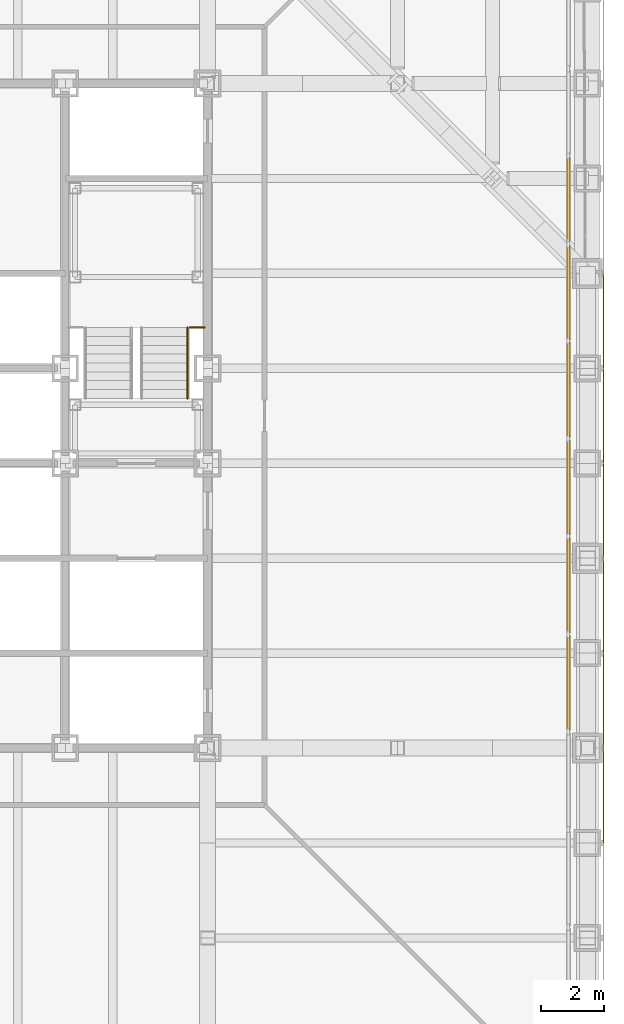
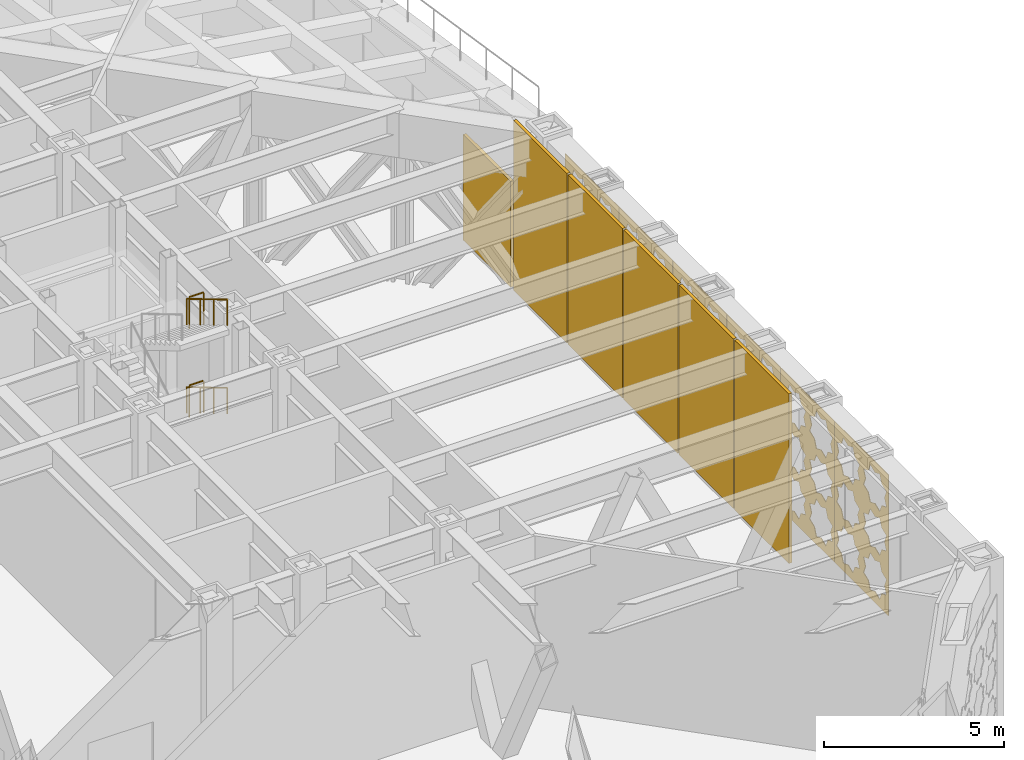
# One storey, part 27 of 31: 6 coverings, 6 shading devices, 4 railings, 2 elements without a shape of their own.
"""IFC4 building model written with IfcOpenShell, lengths in metres."""

from ifc_helpers import new_model, si_unit, direction, frame, origin, origin_2d, place, context, subcontext, project, spatial, polyline, rectangle, circle, outline, extrude, material, layer, layer_set, type_object, element, aggregate, save


model = new_model("IFC4")

# Units and contexts
model_context = context("Model", 3, precision=1e-05, world=origin(), true_north=direction((0.0, 1.0)))
body_context = subcontext(model_context, "Body", "Model", "MODEL_VIEW")
ifc_project = project(units=[si_unit("LENGTHUNIT", "METRE"), si_unit("AREAUNIT", "SQUARE_METRE"), si_unit("VOLUMEUNIT", "CUBIC_METRE"), si_unit("PLANEANGLEUNIT", "RADIAN"), si_unit("MASSUNIT", "GRAM", prefix="KILO")], contexts=[model_context])

# Site, building, storey
site_placement = place(None, origin())
site = spatial("IfcSite", under=ifc_project, at=site_placement, CompositionType="ELEMENT")
building_placement = place(site_placement, origin())
building = spatial("IfcBuilding", under=site, at=building_placement, Name="Chuquiago Exchange Tower", CompositionType="ELEMENT")
storey_placement = place(building_placement, frame((0.0, 0.0, 96.300048828125)))
storey = spatial("IfcBuildingStorey", under=building, at=storey_placement, Name="L20", CompositionType="ELEMENT", Elevation=96.300048828125)

# Curtain wall, shading devices
ifc_material_1 = material(Name="Aluminium curtain wall system", Category="aluminium")
ifc_layer_1 = layer(ifc_material_1, 0.199951171875)
ifc_layer_set_1 = layer_set([ifc_layer_1], Name="CW6 plant floor louvre wall")
curtain_wall_type = type_object("IfcCurtainWallType", Name="CW6 plant floor louvre wall", PredefinedType="NOTDEFINED", material=ifc_layer_set_1)
curtain_wall_1_placement = place(storey_placement, origin())
curtain_wall_1 = element("IfcCurtainWall", 1, at=curtain_wall_1_placement, inside=storey, type_object=curtain_wall_type, Name="CW6 curtain wall L20", PredefinedType="NOTDEFINED")
ifc_material_2 = material(Name="Aluminium louvre", Category="aluminium")
ifc_layer_2 = layer(ifc_material_2, 0.10009765625)
ifc_layer_set_2 = layer_set([ifc_layer_2], Name="CW6-P louvre panel 100")
shading_device_type = type_object("IfcShadingDeviceType", Name="CW6-P louvre panel 100", PredefinedType="USERDEFINED", material=ifc_layer_set_2)
shading_device_1_placement = place(storey_placement, frame((44.39990234375, 14.056884765625, 0.0751953125), z_axis=(0.0, 0.0, 1.0), x_axis=(0.0, 1.0, 0.0)))
shading_device_1 = element("IfcShadingDevice", 2, at=shading_device_1_placement, type_object=shading_device_type, Name="CW6 panel 4.1", ObjectType="LOUVER", PredefinedType="USERDEFINED", context=body_context, shape_type="SweptSolid", body=[
    extrude(rectangle(XDim=3.01318359375, YDim=0.10009765625, at=origin_2d()), origin(), (0.0, 0.0, 1.0), 5.764892578125),
])
shading_device_2_placement = place(storey_placement, frame((44.39990234375, 17.14501953125, 0.0751953125), z_axis=(0.0, 0.0, 1.0), x_axis=(0.0, 1.0, 0.0)))
shading_device_2 = element("IfcShadingDevice", 3, at=shading_device_2_placement, type_object=shading_device_type, Name="CW6 panel 5.1", ObjectType="LOUVER", PredefinedType="USERDEFINED", context=body_context, shape_type="SweptSolid", body=[
    extrude(rectangle(XDim=3.01318359375, YDim=0.10009765625, at=origin_2d()), origin(), (0.0, 0.0, 1.0), 5.764892578125),
])
shading_device_3_placement = place(storey_placement, frame((44.39990234375, 20.233154296875, 0.0751953125), z_axis=(0.0, 0.0, 1.0), x_axis=(0.0, 1.0, 0.0)))
shading_device_3 = element("IfcShadingDevice", 4, at=shading_device_3_placement, type_object=shading_device_type, Name="CW6 panel 6.1", ObjectType="LOUVER", PredefinedType="USERDEFINED", context=body_context, shape_type="SweptSolid", body=[
    extrude(rectangle(XDim=3.01318359375, YDim=0.10009765625, at=origin_2d()), origin(), (0.0, 0.0, 1.0), 5.764892578125),
])
shading_device_4_placement = place(storey_placement, frame((44.39990234375, 23.3212890625, 0.0751953125), z_axis=(0.0, 0.0, 1.0), x_axis=(0.0, 1.0, 0.0)))
shading_device_4 = element("IfcShadingDevice", 5, at=shading_device_4_placement, type_object=shading_device_type, Name="CW6 panel 7.1", ObjectType="LOUVER", PredefinedType="USERDEFINED", context=body_context, shape_type="SweptSolid", body=[
    extrude(rectangle(XDim=3.01318359375, YDim=0.10009765625, at=origin_2d()), origin(), (0.0, 0.0, 1.0), 5.764892578125),
])
shading_device_5_placement = place(storey_placement, frame((44.39990234375, 26.390625, 0.0751953125), z_axis=(0.0, 0.0, 1.0), x_axis=(0.0, 1.0, 0.0)))
shading_device_5 = element("IfcShadingDevice", 6, at=shading_device_5_placement, type_object=shading_device_type, Name="CW6 panel 8.1", ObjectType="LOUVER", PredefinedType="USERDEFINED", context=body_context, shape_type="SweptSolid", body=[
    extrude(rectangle(XDim=2.9755859375, YDim=0.10009765625, at=origin_2d()), origin(), (0.0, 0.0, 1.0), 5.764892578125),
])
aggregate(curtain_wall_1, [shading_device_1, shading_device_2, shading_device_3, shading_device_4, shading_device_5])

# Curtain wall, shading device
curtain_wall_2_placement = place(storey_placement, origin())
curtain_wall_2 = element("IfcCurtainWall", 7, at=curtain_wall_2_placement, inside=storey, type_object=curtain_wall_type, Name="CW6 curtain wall L20", PredefinedType="NOTDEFINED")
shading_device_6_placement = place(storey_placement, frame((44.39990234375, 29.35205078125, 0.0751953125), z_axis=(0.0, 0.0, 1.0), x_axis=(0.0, 1.0, 0.0)))
shading_device_6 = element("IfcShadingDevice", 8, at=shading_device_6_placement, type_object=shading_device_type, Name="CW6 panel 1.1", ObjectType="LOUVER", PredefinedType="USERDEFINED", context=body_context, shape_type="SweptSolid", body=[
    extrude(rectangle(XDim=2.64697265625, YDim=0.10009765625, at=origin_2d()), origin(), (0.0, 0.0, 1.0), 3.593505859375),
])
aggregate(curtain_wall_2, [shading_device_6])

# Coverings
ifc_material_3 = material(Name="Anodised aluminium, pale", Category="aluminium")
ifc_layer_3 = layer(ifc_material_3, 0.02001953125)
ifc_layer_set_3 = layer_set([ifc_layer_3], Name="GC1 girih cladding panel 20")
covering_type = type_object("IfcCoveringType", Name="GC1 girih cladding panel 20", PredefinedType="CLADDING", material=ifc_layer_set_3)
covering_1_placement = place(storey_placement, frame((45.5, 9.0048828125, 0.050048828125), z_axis=(0.0, 0.0, 1.0), x_axis=(0.0, 1.0, 0.0)))
element("IfcCovering", 9, at=covering_1_placement, inside=storey, type_object=covering_type, Name="Girih cladding panel L20 E 3", PredefinedType="CLADDING", context=body_context, shape_type="SweptSolid", body=[
    extrude(outline(polyline([(0.0, 0.0), (2.989990234375, 0.0), (2.989990234375, 4.789794921875), (0.0, 4.789794921875), (0.0, 0.0)]), holes=[polyline([(1.27392578125, 0.89990234375), (1.3828125, 1.1630859375), (1.11962890625, 1.272216796875), (1.0107421875, 1.535400390625), (0.74755859375, 1.42626953125), (0.484375, 1.535400390625), (0.375244140625, 1.272216796875), (0.112060546875, 1.1630859375), (0.22119140625, 0.89990234375), (0.112060546875, 0.63671875), (0.375244140625, 0.527587890625), (0.484375, 0.264404296875), (0.74755859375, 0.37353515625), (1.0107421875, 0.264404296875), (1.11962890625, 0.527587890625), (1.3828125, 0.63671875), (1.27392578125, 0.89990234375)]), polyline([(2.768798828125, 0.89990234375), (2.8779296875, 1.1630859375), (2.61474609375, 1.272216796875), (2.505615234375, 1.535400390625), (2.242431640625, 1.42626953125), (1.979248046875, 1.535400390625), (1.870361328125, 1.272216796875), (1.607177734375, 1.1630859375), (1.716064453125, 0.89990234375), (1.607177734375, 0.63671875), (1.870361328125, 0.527587890625), (1.979248046875, 0.264404296875), (2.242431640625, 0.37353515625), (2.505615234375, 0.264404296875), (2.61474609375, 0.527587890625), (2.8779296875, 0.63671875), (2.768798828125, 0.89990234375)]), polyline([(1.27392578125, 2.39501953125), (1.3828125, 2.658203125), (1.11962890625, 2.76708984375), (1.0107421875, 3.0302734375), (0.74755859375, 2.92138671875), (0.484375, 3.0302734375), (0.375244140625, 2.76708984375), (0.112060546875, 2.658203125), (0.22119140625, 2.39501953125), (0.112060546875, 2.131591796875), (0.375244140625, 2.022705078125), (0.484375, 1.759521484375), (0.74755859375, 1.868408203125), (1.0107421875, 1.759521484375), (1.11962890625, 2.022705078125), (1.3828125, 2.131591796875), (1.27392578125, 2.39501953125)]), polyline([(2.768798828125, 2.39501953125), (2.8779296875, 2.658203125), (2.61474609375, 2.76708984375), (2.505615234375, 3.0302734375), (2.242431640625, 2.92138671875), (1.979248046875, 3.0302734375), (1.870361328125, 2.76708984375), (1.607177734375, 2.658203125), (1.716064453125, 2.39501953125), (1.607177734375, 2.131591796875), (1.870361328125, 2.022705078125), (1.979248046875, 1.759521484375), (2.242431640625, 1.868408203125), (2.505615234375, 1.759521484375), (2.61474609375, 2.022705078125), (2.8779296875, 2.131591796875), (2.768798828125, 2.39501953125)]), polyline([(1.27392578125, 3.889892578125), (1.3828125, 4.153076171875), (1.11962890625, 4.26220703125), (1.0107421875, 4.525390625), (0.74755859375, 4.416259765625), (0.484375, 4.525390625), (0.375244140625, 4.26220703125), (0.112060546875, 4.153076171875), (0.22119140625, 3.889892578125), (0.112060546875, 3.626708984375), (0.375244140625, 3.517822265625), (0.484375, 3.25439453125), (0.74755859375, 3.363525390625), (1.0107421875, 3.25439453125), (1.11962890625, 3.517822265625), (1.3828125, 3.626708984375), (1.27392578125, 3.889892578125)]), polyline([(2.768798828125, 3.889892578125), (2.8779296875, 4.153076171875), (2.61474609375, 4.26220703125), (2.505615234375, 4.525390625), (2.242431640625, 4.416259765625), (1.979248046875, 4.525390625), (1.870361328125, 4.26220703125), (1.607177734375, 4.153076171875), (1.716064453125, 3.889892578125), (1.607177734375, 3.626708984375), (1.870361328125, 3.517822265625), (1.979248046875, 3.25439453125), (2.242431640625, 3.363525390625), (2.505615234375, 3.25439453125), (2.61474609375, 3.517822265625), (2.8779296875, 3.626708984375), (2.768798828125, 3.889892578125)])]), frame((0.0, 0.0, 0.0), z_axis=(0.0, -1.0, 0.0), x_axis=(1.0, 0.0, 0.0)), (0.0, 0.0, 1.0), 0.02001953125),
])
covering_2_placement = place(storey_placement, frame((45.5, 12.0048828125, 0.050048828125), z_axis=(0.0, 0.0, 1.0), x_axis=(0.0, 1.0, 0.0)))
element("IfcCovering", 10, at=covering_2_placement, inside=storey, type_object=covering_type, Name="Girih cladding panel L20 E 4", PredefinedType="CLADDING", context=body_context, shape_type="SweptSolid", body=[
    extrude(outline(polyline([(0.0, 0.0), (2.989990234375, 0.0), (2.989990234375, 4.789794921875), (0.0, 4.789794921875), (0.0, 0.0)]), holes=[polyline([(1.27392578125, 0.89990234375), (1.3828125, 1.1630859375), (1.11962890625, 1.272216796875), (1.0107421875, 1.535400390625), (0.74755859375, 1.42626953125), (0.484375, 1.535400390625), (0.375244140625, 1.272216796875), (0.112060546875, 1.1630859375), (0.22119140625, 0.89990234375), (0.112060546875, 0.63671875), (0.375244140625, 0.527587890625), (0.484375, 0.264404296875), (0.74755859375, 0.37353515625), (1.0107421875, 0.264404296875), (1.11962890625, 0.527587890625), (1.3828125, 0.63671875), (1.27392578125, 0.89990234375)]), polyline([(2.768798828125, 0.89990234375), (2.8779296875, 1.1630859375), (2.61474609375, 1.272216796875), (2.505615234375, 1.535400390625), (2.242431640625, 1.42626953125), (1.979248046875, 1.535400390625), (1.870361328125, 1.272216796875), (1.607177734375, 1.1630859375), (1.716064453125, 0.89990234375), (1.607177734375, 0.63671875), (1.870361328125, 0.527587890625), (1.979248046875, 0.264404296875), (2.242431640625, 0.37353515625), (2.505615234375, 0.264404296875), (2.61474609375, 0.527587890625), (2.8779296875, 0.63671875), (2.768798828125, 0.89990234375)]), polyline([(1.27392578125, 2.39501953125), (1.3828125, 2.658203125), (1.11962890625, 2.76708984375), (1.0107421875, 3.0302734375), (0.74755859375, 2.92138671875), (0.484375, 3.0302734375), (0.375244140625, 2.76708984375), (0.112060546875, 2.658203125), (0.22119140625, 2.39501953125), (0.112060546875, 2.131591796875), (0.375244140625, 2.022705078125), (0.484375, 1.759521484375), (0.74755859375, 1.868408203125), (1.0107421875, 1.759521484375), (1.11962890625, 2.022705078125), (1.3828125, 2.131591796875), (1.27392578125, 2.39501953125)]), polyline([(2.768798828125, 2.39501953125), (2.8779296875, 2.658203125), (2.61474609375, 2.76708984375), (2.505615234375, 3.0302734375), (2.242431640625, 2.92138671875), (1.979248046875, 3.0302734375), (1.870361328125, 2.76708984375), (1.607177734375, 2.658203125), (1.716064453125, 2.39501953125), (1.607177734375, 2.131591796875), (1.870361328125, 2.022705078125), (1.979248046875, 1.759521484375), (2.242431640625, 1.868408203125), (2.505615234375, 1.759521484375), (2.61474609375, 2.022705078125), (2.8779296875, 2.131591796875), (2.768798828125, 2.39501953125)]), polyline([(1.27392578125, 3.889892578125), (1.3828125, 4.153076171875), (1.11962890625, 4.26220703125), (1.0107421875, 4.525390625), (0.74755859375, 4.416259765625), (0.484375, 4.525390625), (0.375244140625, 4.26220703125), (0.112060546875, 4.153076171875), (0.22119140625, 3.889892578125), (0.112060546875, 3.626708984375), (0.375244140625, 3.517822265625), (0.484375, 3.25439453125), (0.74755859375, 3.363525390625), (1.0107421875, 3.25439453125), (1.11962890625, 3.517822265625), (1.3828125, 3.626708984375), (1.27392578125, 3.889892578125)]), polyline([(2.768798828125, 3.889892578125), (2.8779296875, 4.153076171875), (2.61474609375, 4.26220703125), (2.505615234375, 4.525390625), (2.242431640625, 4.416259765625), (1.979248046875, 4.525390625), (1.870361328125, 4.26220703125), (1.607177734375, 4.153076171875), (1.716064453125, 3.889892578125), (1.607177734375, 3.626708984375), (1.870361328125, 3.517822265625), (1.979248046875, 3.25439453125), (2.242431640625, 3.363525390625), (2.505615234375, 3.25439453125), (2.61474609375, 3.517822265625), (2.8779296875, 3.626708984375), (2.768798828125, 3.889892578125)])]), frame((0.0, 0.0, 0.0), z_axis=(0.0, -1.0, 0.0), x_axis=(1.0, 0.0, 0.0)), (0.0, 0.0, 1.0), 0.02001953125),
])
covering_3_placement = place(storey_placement, frame((45.5, 15.0048828125, 0.050048828125), z_axis=(0.0, 0.0, 1.0), x_axis=(0.0, 1.0, 0.0)))
element("IfcCovering", 11, at=covering_3_placement, inside=storey, type_object=covering_type, Name="Girih cladding panel L20 E 5", PredefinedType="CLADDING", context=body_context, shape_type="SweptSolid", body=[
    extrude(outline(polyline([(0.0, 0.0), (2.989990234375, 0.0), (2.989990234375, 4.789794921875), (0.0, 4.789794921875), (0.0, 0.0)]), holes=[polyline([(1.27392578125, 0.89990234375), (1.3828125, 1.1630859375), (1.11962890625, 1.272216796875), (1.0107421875, 1.535400390625), (0.74755859375, 1.42626953125), (0.484375, 1.535400390625), (0.375244140625, 1.272216796875), (0.112060546875, 1.1630859375), (0.22119140625, 0.89990234375), (0.112060546875, 0.63671875), (0.375244140625, 0.527587890625), (0.484375, 0.264404296875), (0.74755859375, 0.37353515625), (1.0107421875, 0.264404296875), (1.11962890625, 0.527587890625), (1.3828125, 0.63671875), (1.27392578125, 0.89990234375)]), polyline([(2.768798828125, 0.89990234375), (2.8779296875, 1.1630859375), (2.61474609375, 1.272216796875), (2.505615234375, 1.535400390625), (2.242431640625, 1.42626953125), (1.979248046875, 1.535400390625), (1.870361328125, 1.272216796875), (1.607177734375, 1.1630859375), (1.716064453125, 0.89990234375), (1.607177734375, 0.63671875), (1.870361328125, 0.527587890625), (1.979248046875, 0.264404296875), (2.242431640625, 0.37353515625), (2.505615234375, 0.264404296875), (2.61474609375, 0.527587890625), (2.8779296875, 0.63671875), (2.768798828125, 0.89990234375)]), polyline([(1.27392578125, 2.39501953125), (1.3828125, 2.658203125), (1.11962890625, 2.76708984375), (1.0107421875, 3.0302734375), (0.74755859375, 2.92138671875), (0.484375, 3.0302734375), (0.375244140625, 2.76708984375), (0.112060546875, 2.658203125), (0.22119140625, 2.39501953125), (0.112060546875, 2.131591796875), (0.375244140625, 2.022705078125), (0.484375, 1.759521484375), (0.74755859375, 1.868408203125), (1.0107421875, 1.759521484375), (1.11962890625, 2.022705078125), (1.3828125, 2.131591796875), (1.27392578125, 2.39501953125)]), polyline([(2.768798828125, 2.39501953125), (2.8779296875, 2.658203125), (2.61474609375, 2.76708984375), (2.505615234375, 3.0302734375), (2.242431640625, 2.92138671875), (1.979248046875, 3.0302734375), (1.870361328125, 2.76708984375), (1.607177734375, 2.658203125), (1.716064453125, 2.39501953125), (1.607177734375, 2.131591796875), (1.870361328125, 2.022705078125), (1.979248046875, 1.759521484375), (2.242431640625, 1.868408203125), (2.505615234375, 1.759521484375), (2.61474609375, 2.022705078125), (2.8779296875, 2.131591796875), (2.768798828125, 2.39501953125)]), polyline([(1.27392578125, 3.889892578125), (1.3828125, 4.153076171875), (1.11962890625, 4.26220703125), (1.0107421875, 4.525390625), (0.74755859375, 4.416259765625), (0.484375, 4.525390625), (0.375244140625, 4.26220703125), (0.112060546875, 4.153076171875), (0.22119140625, 3.889892578125), (0.112060546875, 3.626708984375), (0.375244140625, 3.517822265625), (0.484375, 3.25439453125), (0.74755859375, 3.363525390625), (1.0107421875, 3.25439453125), (1.11962890625, 3.517822265625), (1.3828125, 3.626708984375), (1.27392578125, 3.889892578125)]), polyline([(2.768798828125, 3.889892578125), (2.8779296875, 4.153076171875), (2.61474609375, 4.26220703125), (2.505615234375, 4.525390625), (2.242431640625, 4.416259765625), (1.979248046875, 4.525390625), (1.870361328125, 4.26220703125), (1.607177734375, 4.153076171875), (1.716064453125, 3.889892578125), (1.607177734375, 3.626708984375), (1.870361328125, 3.517822265625), (1.979248046875, 3.25439453125), (2.242431640625, 3.363525390625), (2.505615234375, 3.25439453125), (2.61474609375, 3.517822265625), (2.8779296875, 3.626708984375), (2.768798828125, 3.889892578125)])]), frame((0.0, 0.0, 0.0), z_axis=(0.0, -1.0, 0.0), x_axis=(1.0, 0.0, 0.0)), (0.0, 0.0, 1.0), 0.02001953125),
])
covering_4_placement = place(storey_placement, frame((45.5, 18.0048828125, 0.050048828125), z_axis=(0.0, 0.0, 1.0), x_axis=(0.0, 1.0, 0.0)))
element("IfcCovering", 12, at=covering_4_placement, inside=storey, type_object=covering_type, Name="Girih cladding panel L20 E 6", PredefinedType="CLADDING", context=body_context, shape_type="SweptSolid", body=[
    extrude(outline(polyline([(0.0, 0.0), (2.989990234375, 0.0), (2.989990234375, 4.789794921875), (0.0, 4.789794921875), (0.0, 0.0)]), holes=[polyline([(1.27392578125, 0.89990234375), (1.3828125, 1.1630859375), (1.11962890625, 1.272216796875), (1.0107421875, 1.535400390625), (0.74755859375, 1.42626953125), (0.484375, 1.535400390625), (0.375244140625, 1.272216796875), (0.112060546875, 1.1630859375), (0.22119140625, 0.89990234375), (0.112060546875, 0.63671875), (0.375244140625, 0.527587890625), (0.484375, 0.264404296875), (0.74755859375, 0.37353515625), (1.0107421875, 0.264404296875), (1.11962890625, 0.527587890625), (1.3828125, 0.63671875), (1.27392578125, 0.89990234375)]), polyline([(2.768798828125, 0.89990234375), (2.8779296875, 1.1630859375), (2.61474609375, 1.272216796875), (2.505615234375, 1.535400390625), (2.242431640625, 1.42626953125), (1.979248046875, 1.535400390625), (1.870361328125, 1.272216796875), (1.607177734375, 1.1630859375), (1.716064453125, 0.89990234375), (1.607177734375, 0.63671875), (1.870361328125, 0.527587890625), (1.979248046875, 0.264404296875), (2.242431640625, 0.37353515625), (2.505615234375, 0.264404296875), (2.61474609375, 0.527587890625), (2.8779296875, 0.63671875), (2.768798828125, 0.89990234375)]), polyline([(1.27392578125, 2.39501953125), (1.3828125, 2.658203125), (1.11962890625, 2.76708984375), (1.0107421875, 3.0302734375), (0.74755859375, 2.92138671875), (0.484375, 3.0302734375), (0.375244140625, 2.76708984375), (0.112060546875, 2.658203125), (0.22119140625, 2.39501953125), (0.112060546875, 2.131591796875), (0.375244140625, 2.022705078125), (0.484375, 1.759521484375), (0.74755859375, 1.868408203125), (1.0107421875, 1.759521484375), (1.11962890625, 2.022705078125), (1.3828125, 2.131591796875), (1.27392578125, 2.39501953125)]), polyline([(2.768798828125, 2.39501953125), (2.8779296875, 2.658203125), (2.61474609375, 2.76708984375), (2.505615234375, 3.0302734375), (2.242431640625, 2.92138671875), (1.979248046875, 3.0302734375), (1.870361328125, 2.76708984375), (1.607177734375, 2.658203125), (1.716064453125, 2.39501953125), (1.607177734375, 2.131591796875), (1.870361328125, 2.022705078125), (1.979248046875, 1.759521484375), (2.242431640625, 1.868408203125), (2.505615234375, 1.759521484375), (2.61474609375, 2.022705078125), (2.8779296875, 2.131591796875), (2.768798828125, 2.39501953125)]), polyline([(1.27392578125, 3.889892578125), (1.3828125, 4.153076171875), (1.11962890625, 4.26220703125), (1.0107421875, 4.525390625), (0.74755859375, 4.416259765625), (0.484375, 4.525390625), (0.375244140625, 4.26220703125), (0.112060546875, 4.153076171875), (0.22119140625, 3.889892578125), (0.112060546875, 3.626708984375), (0.375244140625, 3.517822265625), (0.484375, 3.25439453125), (0.74755859375, 3.363525390625), (1.0107421875, 3.25439453125), (1.11962890625, 3.517822265625), (1.3828125, 3.626708984375), (1.27392578125, 3.889892578125)]), polyline([(2.768798828125, 3.889892578125), (2.8779296875, 4.153076171875), (2.61474609375, 4.26220703125), (2.505615234375, 4.525390625), (2.242431640625, 4.416259765625), (1.979248046875, 4.525390625), (1.870361328125, 4.26220703125), (1.607177734375, 4.153076171875), (1.716064453125, 3.889892578125), (1.607177734375, 3.626708984375), (1.870361328125, 3.517822265625), (1.979248046875, 3.25439453125), (2.242431640625, 3.363525390625), (2.505615234375, 3.25439453125), (2.61474609375, 3.517822265625), (2.8779296875, 3.626708984375), (2.768798828125, 3.889892578125)])]), frame((0.0, 0.0, 0.0), z_axis=(0.0, -1.0, 0.0), x_axis=(1.0, 0.0, 0.0)), (0.0, 0.0, 1.0), 0.02001953125),
])
covering_5_placement = place(storey_placement, frame((45.5, 21.0048828125, 0.050048828125), z_axis=(0.0, 0.0, 1.0), x_axis=(0.0, 1.0, 0.0)))
element("IfcCovering", 13, at=covering_5_placement, inside=storey, type_object=covering_type, Name="Girih cladding panel L20 E 7", PredefinedType="CLADDING", context=body_context, shape_type="SweptSolid", body=[
    extrude(outline(polyline([(0.0, 0.0), (2.989990234375, 0.0), (2.989990234375, 4.789794921875), (0.0, 4.789794921875), (0.0, 0.0)]), holes=[polyline([(1.27392578125, 0.89990234375), (1.3828125, 1.1630859375), (1.11962890625, 1.272216796875), (1.0107421875, 1.535400390625), (0.74755859375, 1.42626953125), (0.484375, 1.535400390625), (0.375244140625, 1.272216796875), (0.112060546875, 1.1630859375), (0.22119140625, 0.89990234375), (0.112060546875, 0.63671875), (0.375244140625, 0.527587890625), (0.484375, 0.264404296875), (0.74755859375, 0.37353515625), (1.0107421875, 0.264404296875), (1.11962890625, 0.527587890625), (1.3828125, 0.63671875), (1.27392578125, 0.89990234375)]), polyline([(2.768798828125, 0.89990234375), (2.8779296875, 1.1630859375), (2.61474609375, 1.272216796875), (2.505615234375, 1.535400390625), (2.242431640625, 1.42626953125), (1.979248046875, 1.535400390625), (1.870361328125, 1.272216796875), (1.607177734375, 1.1630859375), (1.716064453125, 0.89990234375), (1.607177734375, 0.63671875), (1.870361328125, 0.527587890625), (1.979248046875, 0.264404296875), (2.242431640625, 0.37353515625), (2.505615234375, 0.264404296875), (2.61474609375, 0.527587890625), (2.8779296875, 0.63671875), (2.768798828125, 0.89990234375)]), polyline([(1.27392578125, 2.39501953125), (1.3828125, 2.658203125), (1.11962890625, 2.76708984375), (1.0107421875, 3.0302734375), (0.74755859375, 2.92138671875), (0.484375, 3.0302734375), (0.375244140625, 2.76708984375), (0.112060546875, 2.658203125), (0.22119140625, 2.39501953125), (0.112060546875, 2.131591796875), (0.375244140625, 2.022705078125), (0.484375, 1.759521484375), (0.74755859375, 1.868408203125), (1.0107421875, 1.759521484375), (1.11962890625, 2.022705078125), (1.3828125, 2.131591796875), (1.27392578125, 2.39501953125)]), polyline([(2.768798828125, 2.39501953125), (2.8779296875, 2.658203125), (2.61474609375, 2.76708984375), (2.505615234375, 3.0302734375), (2.242431640625, 2.92138671875), (1.979248046875, 3.0302734375), (1.870361328125, 2.76708984375), (1.607177734375, 2.658203125), (1.716064453125, 2.39501953125), (1.607177734375, 2.131591796875), (1.870361328125, 2.022705078125), (1.979248046875, 1.759521484375), (2.242431640625, 1.868408203125), (2.505615234375, 1.759521484375), (2.61474609375, 2.022705078125), (2.8779296875, 2.131591796875), (2.768798828125, 2.39501953125)]), polyline([(1.27392578125, 3.889892578125), (1.3828125, 4.153076171875), (1.11962890625, 4.26220703125), (1.0107421875, 4.525390625), (0.74755859375, 4.416259765625), (0.484375, 4.525390625), (0.375244140625, 4.26220703125), (0.112060546875, 4.153076171875), (0.22119140625, 3.889892578125), (0.112060546875, 3.626708984375), (0.375244140625, 3.517822265625), (0.484375, 3.25439453125), (0.74755859375, 3.363525390625), (1.0107421875, 3.25439453125), (1.11962890625, 3.517822265625), (1.3828125, 3.626708984375), (1.27392578125, 3.889892578125)]), polyline([(2.768798828125, 3.889892578125), (2.8779296875, 4.153076171875), (2.61474609375, 4.26220703125), (2.505615234375, 4.525390625), (2.242431640625, 4.416259765625), (1.979248046875, 4.525390625), (1.870361328125, 4.26220703125), (1.607177734375, 4.153076171875), (1.716064453125, 3.889892578125), (1.607177734375, 3.626708984375), (1.870361328125, 3.517822265625), (1.979248046875, 3.25439453125), (2.242431640625, 3.363525390625), (2.505615234375, 3.25439453125), (2.61474609375, 3.517822265625), (2.8779296875, 3.626708984375), (2.768798828125, 3.889892578125)])]), frame((0.0, 0.0, 0.0), z_axis=(0.0, -1.0, 0.0), x_axis=(1.0, 0.0, 0.0)), (0.0, 0.0, 1.0), 0.02001953125),
])
covering_6_placement = place(storey_placement, frame((45.5, 24.0048828125, 0.050048828125), z_axis=(0.0, 0.0, 1.0), x_axis=(0.0, 1.0, 0.0)))
element("IfcCovering", 14, at=covering_6_placement, inside=storey, type_object=covering_type, Name="Girih cladding panel L20 E 8", PredefinedType="CLADDING", context=body_context, shape_type="SweptSolid", body=[
    extrude(outline(polyline([(0.0, 0.0), (2.989990234375, 0.0), (2.989990234375, 4.789794921875), (0.0, 4.789794921875), (0.0, 0.0)]), holes=[polyline([(1.27392578125, 0.89990234375), (1.3828125, 1.1630859375), (1.11962890625, 1.272216796875), (1.0107421875, 1.535400390625), (0.74755859375, 1.42626953125), (0.484375, 1.535400390625), (0.375244140625, 1.272216796875), (0.112060546875, 1.1630859375), (0.22119140625, 0.89990234375), (0.112060546875, 0.63671875), (0.375244140625, 0.527587890625), (0.484375, 0.264404296875), (0.74755859375, 0.37353515625), (1.0107421875, 0.264404296875), (1.11962890625, 0.527587890625), (1.3828125, 0.63671875), (1.27392578125, 0.89990234375)]), polyline([(2.768798828125, 0.89990234375), (2.8779296875, 1.1630859375), (2.61474609375, 1.272216796875), (2.505615234375, 1.535400390625), (2.242431640625, 1.42626953125), (1.979248046875, 1.535400390625), (1.870361328125, 1.272216796875), (1.607177734375, 1.1630859375), (1.716064453125, 0.89990234375), (1.607177734375, 0.63671875), (1.870361328125, 0.527587890625), (1.979248046875, 0.264404296875), (2.242431640625, 0.37353515625), (2.505615234375, 0.264404296875), (2.61474609375, 0.527587890625), (2.8779296875, 0.63671875), (2.768798828125, 0.89990234375)]), polyline([(1.27392578125, 2.39501953125), (1.3828125, 2.658203125), (1.11962890625, 2.76708984375), (1.0107421875, 3.0302734375), (0.74755859375, 2.92138671875), (0.484375, 3.0302734375), (0.375244140625, 2.76708984375), (0.112060546875, 2.658203125), (0.22119140625, 2.39501953125), (0.112060546875, 2.131591796875), (0.375244140625, 2.022705078125), (0.484375, 1.759521484375), (0.74755859375, 1.868408203125), (1.0107421875, 1.759521484375), (1.11962890625, 2.022705078125), (1.3828125, 2.131591796875), (1.27392578125, 2.39501953125)]), polyline([(2.768798828125, 2.39501953125), (2.8779296875, 2.658203125), (2.61474609375, 2.76708984375), (2.505615234375, 3.0302734375), (2.242431640625, 2.92138671875), (1.979248046875, 3.0302734375), (1.870361328125, 2.76708984375), (1.607177734375, 2.658203125), (1.716064453125, 2.39501953125), (1.607177734375, 2.131591796875), (1.870361328125, 2.022705078125), (1.979248046875, 1.759521484375), (2.242431640625, 1.868408203125), (2.505615234375, 1.759521484375), (2.61474609375, 2.022705078125), (2.8779296875, 2.131591796875), (2.768798828125, 2.39501953125)]), polyline([(1.27392578125, 3.889892578125), (1.3828125, 4.153076171875), (1.11962890625, 4.26220703125), (1.0107421875, 4.525390625), (0.74755859375, 4.416259765625), (0.484375, 4.525390625), (0.375244140625, 4.26220703125), (0.112060546875, 4.153076171875), (0.22119140625, 3.889892578125), (0.112060546875, 3.626708984375), (0.375244140625, 3.517822265625), (0.484375, 3.25439453125), (0.74755859375, 3.363525390625), (1.0107421875, 3.25439453125), (1.11962890625, 3.517822265625), (1.3828125, 3.626708984375), (1.27392578125, 3.889892578125)]), polyline([(2.768798828125, 3.889892578125), (2.8779296875, 4.153076171875), (2.61474609375, 4.26220703125), (2.505615234375, 4.525390625), (2.242431640625, 4.416259765625), (1.979248046875, 4.525390625), (1.870361328125, 4.26220703125), (1.607177734375, 4.153076171875), (1.716064453125, 3.889892578125), (1.607177734375, 3.626708984375), (1.870361328125, 3.517822265625), (1.979248046875, 3.25439453125), (2.242431640625, 3.363525390625), (2.505615234375, 3.25439453125), (2.61474609375, 3.517822265625), (2.8779296875, 3.626708984375), (2.768798828125, 3.889892578125)])]), frame((0.0, 0.0, 0.0), z_axis=(0.0, -1.0, 0.0), x_axis=(1.0, 0.0, 0.0)), (0.0, 0.0, 1.0), 0.02001953125),
])

# Railings
ifc_material_4 = material(Name="Pale metal guard with safety glass infill", Category="glass")
railing_type_1 = type_object("IfcRailingType", Name="GR1 guard 1100", PredefinedType="GUARDRAIL", material=ifc_material_4)
for number, where, name in (
    (15, (32.445068359375, 25.2900390625, 1.5), "Guard ST2 L20 landing 2"),
    (16, (32.445068359375, 25.2900390625, 4.5), "Guard ST2 L20 landing 4"),
):
    element("IfcRailing", number, at=place(storey_placement, frame(where)), inside=storey, type_object=railing_type_1, Name=name, PredefinedType="GUARDRAIL", context=body_context, shape_type="SweptSolid", body=[
        extrude(circle(Radius=0.02392578125, at=origin_2d()), frame((0.0, 0.0, 1.076171875), z_axis=(1.0, 0.0, 0.0), x_axis=(0.0, 1.0, 0.0)), (0.0, 0.0, 1.0), 0.454833984375),
        extrude(circle(Radius=0.02099609375, at=origin_2d()), origin(), (0.0, 0.0, 1.0), 1.052001953125),
        extrude(circle(Radius=0.02099609375, at=origin_2d()), frame((0.454833984375, 0.0, 0.0)), (0.0, 0.0, 1.0), 1.052001953125),
    ])
ifc_material_5 = material(Name="Pale metal handrail", Category="steel")
railing_type_2 = type_object("IfcRailingType", Name="HR1 handrail 900", PredefinedType="HANDRAIL", material=ifc_material_5)
for number, where, name in (
    (17, (32.364990234375, 25.2900390625, 1.666748046875), "Handrail ST2 L20 flight 2"),
    (18, (32.364990234375, 25.2900390625, 4.666748046875), "Handrail ST2 L20 flight 4"),
):
    element("IfcRailing", number, at=place(storey_placement, frame(where)), inside=storey, type_object=railing_type_2, Name=name, PredefinedType="HANDRAIL", context=body_context, shape_type="SweptSolid", body=[
        extrude(circle(Radius=0.02392578125, at=origin_2d()), frame((0.0, 0.0, 0.8759765625), z_axis=(0.0, -0.859305625298, 0.511462454469), x_axis=(1.0, 0.0, 0.0)), (0.0, 0.0, 1.0), 2.606689453125),
        extrude(circle(Radius=0.02099609375, at=origin_2d()), origin(), (0.0, 0.0, 1.0), 0.851806640625),
        extrude(circle(Radius=0.02099609375, at=origin_2d()), frame((0.0, -0.74658203125, 0.4443359375)), (0.0, 0.0, 1.0), 0.851806640625),
        extrude(circle(Radius=0.02099609375, at=origin_2d()), frame((0.0, -1.493408203125, 0.888916015625)), (0.0, 0.0, 1.0), 0.851806640625),
        extrude(circle(Radius=0.02099609375, at=origin_2d()), frame((0.0, -2.239990234375, 1.333251953125)), (0.0, 0.0, 1.0), 0.851806640625),
    ])

save(model, "model.ifc")
